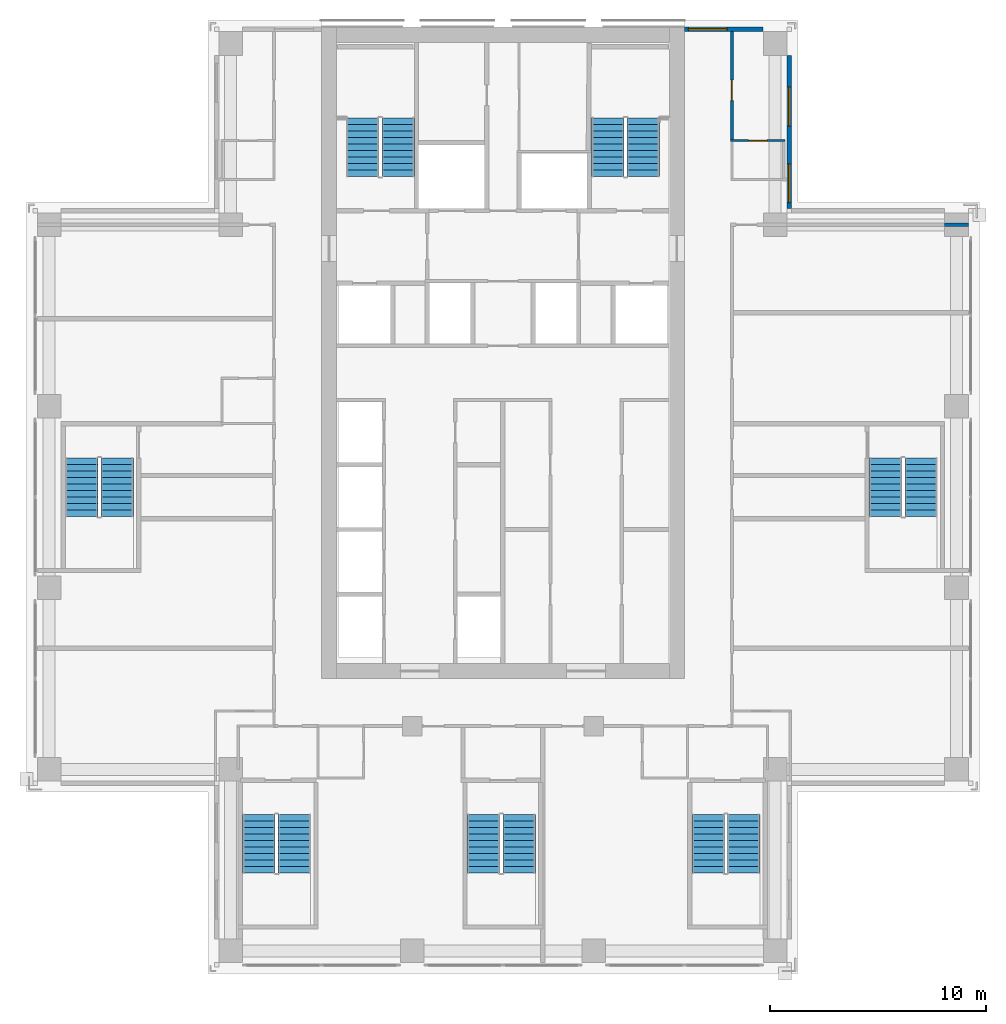
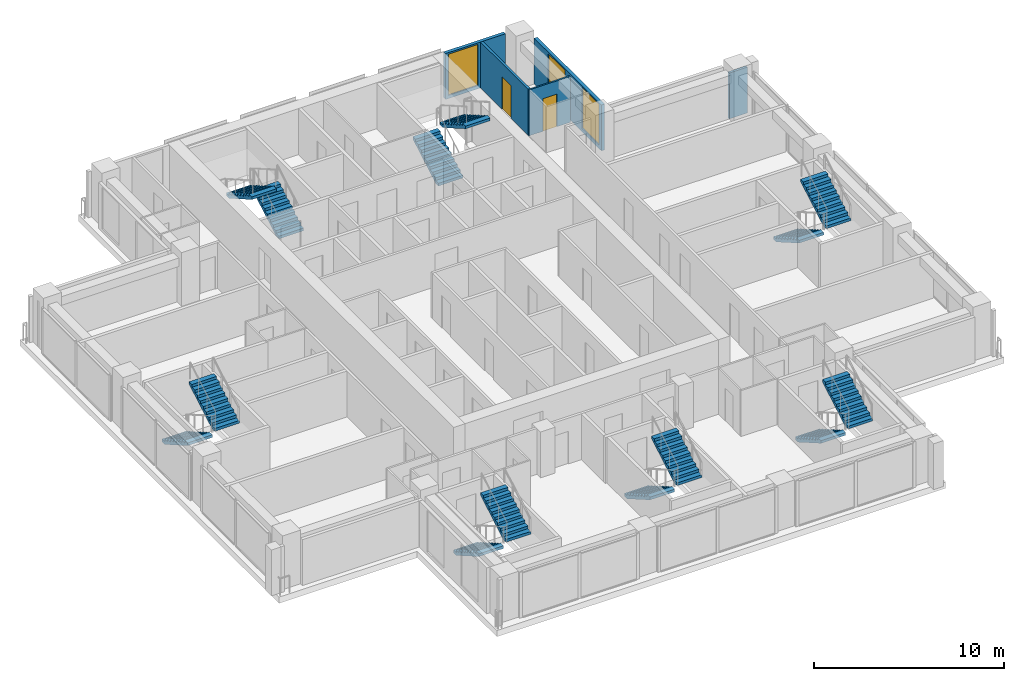
# One storey, part 13 of 16: 14 stair flights, 5 walls, 3 windows, 2 doors, 5 openings, 7 elements without a shape of their own.
"""IFC4 building model written with IfcOpenShell, lengths in metres."""

import ifcopenshell
import ifcopenshell.guid

model = None  # the IFC model being written
_history = None  # IfcOwnerHistory: only IFC2X3 demands one
_inside = {}  # id of a spatial element -> (the spatial element, [elements in it])
_under = {}  # id of a project, library or spatial element -> (it, [spatial elements below it])
_declared = {}  # id of a project -> (the project, [libraries it declares])
_typed = {}  # id of a type object -> (the type object, [elements of that type])
_made_of = {}  # id of a material, layer set ... -> (it, [elements and type objects made of it])


def new_model(schema):
    """Start an empty IFC model of exactly this schema.

    Asked for "IFC4X3", IfcOpenShell would pick the latest addendum, in which some entities
    have other attributes; the version numbers below select the first issue.
    IFC2X3 requires an IfcOwnerHistory on every rooted entity: one is made here for all.
    """
    global model, _history
    if schema == "IFC4X3":
        model = ifcopenshell.file(schema_version=(4, 3, 0, 0))
    else:
        model = ifcopenshell.file(schema=schema)
    _inside.clear()
    _under.clear()
    _declared.clear()
    _typed.clear()
    _made_of.clear()
    _history = None
    if model.schema == "IFC2X3":
        org = make("IfcOrganization", Name="unknown")
        user = make(
            "IfcPersonAndOrganization",
            ThePerson=make("IfcPerson", FamilyName="unknown"),
            TheOrganization=org,
        )
        app = make(
            "IfcApplication",
            ApplicationDeveloper=org,
            Version="unknown",
            ApplicationFullName="unknown",
            ApplicationIdentifier="unknown",
        )
        _history = make(
            "IfcOwnerHistory",
            OwningUser=user,
            OwningApplication=app,
            ChangeAction="ADDED",
            CreationDate=0,
        )
    return model


def make(cls, **values):
    """One entity of the class cls with the attributes given. An attribute that is None is left unset."""
    return model.create_entity(
        cls, **{name: value for name, value in values.items() if value is not None}
    )


def rooted(cls, **values):
    """An entity with a GlobalId (a new one), such as an element, a storey or a relation."""
    return make(cls, GlobalId=ifcopenshell.guid.new(), OwnerHistory=_history, **values)


def si_unit(unit_type, name, prefix=None):
    """IfcSIUnit, for example si_unit("LENGTHUNIT", "METRE", prefix="MILLI")."""
    return make("IfcSIUnit", UnitType=unit_type, Prefix=prefix, Name=name)


def assignment(units):
    """IfcUnitAssignment: the units of a project."""
    return None if units is None else make("IfcUnitAssignment", Units=units)


def point(xyz):
    """IfcCartesianPoint."""
    return None if xyz is None else make("IfcCartesianPoint", Coordinates=xyz)


def direction(xyz):
    """IfcDirection."""
    return None if xyz is None else make("IfcDirection", DirectionRatios=xyz)


def frame(location, z_axis=None, x_axis=None):
    """IfcAxis2Placement3D, a coordinate frame: its origin and axes. An axis left out is left unset."""
    return make(
        "IfcAxis2Placement3D",
        Location=point(location),
        Axis=direction(z_axis),
        RefDirection=direction(x_axis),
    )


def frame_2d(location, x_axis=None):
    """IfcAxis2Placement2D, a coordinate frame in the plane: its origin and x axis."""
    return make(
        "IfcAxis2Placement2D", Location=point(location), RefDirection=direction(x_axis)
    )


def origin():
    """The frame at (0, 0, 0) with its axes left unset."""
    return frame((0.0, 0.0, 0.0))


def place(relative_to, where):
    """IfcLocalPlacement: puts the frame where relative to a parent placement (None: the world)."""
    return make(
        "IfcLocalPlacement", PlacementRelTo=relative_to, RelativePlacement=where
    )


def context(
    kind, dimensions, precision=None, world=None, true_north=None, identifier=None
):
    """IfcGeometricRepresentationContext, for example the 3D "Model" context."""
    return make(
        "IfcGeometricRepresentationContext",
        ContextIdentifier=identifier,
        ContextType=kind,
        CoordinateSpaceDimension=dimensions,
        Precision=precision,
        WorldCoordinateSystem=world,
        TrueNorth=true_north,
    )


def subcontext(parent, identifier, kind, view, scale=None):
    """IfcGeometricRepresentationSubContext, for example "Body" below "Model"."""
    return make(
        "IfcGeometricRepresentationSubContext",
        ContextIdentifier=identifier,
        ContextType=kind,
        ParentContext=parent,
        TargetScale=scale,
        TargetView=view,
    )


def project(units=None, contexts=None):
    """IfcProject with its units and contexts."""
    return rooted(
        "IfcProject",
        Name="project",
        RepresentationContexts=contexts,
        UnitsInContext=assignment(units),
    )


def spatial(cls, under=None, at=None, **own):
    """A site, building, storey or space (cls), placed at a placement, below another one or the project."""
    s = rooted(cls, ObjectPlacement=at, **own)
    if under is not None:
        _under.setdefault(under.id(), (under, []))[1].append(s)
    return s


def polyline(points):
    """IfcPolyline through the points."""
    return make("IfcPolyline", Points=[point(p) for p in points])


def profile(cls, at=None, kind="AREA", **sizes):
    """A parametric profile (cls). Its sizes go by their IFC names, for example OverallWidth=200.0."""
    return make(cls, ProfileType=kind, Position=at, **sizes)


def rectangle(**sizes):
    """IfcRectangleProfileDef."""
    return profile("IfcRectangleProfileDef", **sizes)


def outline(outer, holes=None, kind="AREA"):
    """IfcArbitraryClosedProfileDef: a profile drawn as a closed curve; with holes, ...WithVoids."""
    if holes is None:
        return make("IfcArbitraryClosedProfileDef", ProfileType=kind, OuterCurve=outer)
    return make(
        "IfcArbitraryProfileDefWithVoids",
        ProfileType=kind,
        OuterCurve=outer,
        InnerCurves=holes,
    )


def extrude(swept, where, along, depth):
    """IfcExtrudedAreaSolid: the profile swept, set in the frame where, extruded along a direction by depth."""
    return make(
        "IfcExtrudedAreaSolid",
        SweptArea=swept,
        Position=where,
        ExtrudedDirection=direction(along),
        Depth=depth,
    )


def shape(context_of_items, identifier, shape_type, items):
    """IfcShapeRepresentation: the items that make up one representation, for example the "Body"."""
    return make(
        "IfcShapeRepresentation",
        ContextOfItems=context_of_items,
        RepresentationIdentifier=identifier,
        RepresentationType=shape_type,
        Items=items,
    )


def material(Name=None, Category=None):
    """IfcMaterial."""
    return make("IfcMaterial", Name=Name, Category=Category)


def layer(
    of_material, thickness, ventilated=None, Name=None, Category=None, Priority=None
):
    """IfcMaterialLayer: one layer of a wall or slab, of a material (None: an air gap)."""
    return make(
        "IfcMaterialLayer",
        Material=of_material,
        LayerThickness=thickness,
        IsVentilated=ventilated,
        Name=Name,
        Category=Category,
        Priority=Priority,
    )


def layer_set(layers, Name=None):
    """IfcMaterialLayerSet."""
    return make("IfcMaterialLayerSet", MaterialLayers=layers, LayerSetName=Name)


def made_of(thing, what):
    """Note that an element or type object is made of a material, layer set ...; save() writes the relation."""
    if what is not None:
        _made_of.setdefault(what.id(), (what, []))[1].append(thing)
    return thing


def type_object(cls, material=None, **own):
    """A type object (cls), such as IfcWallType, which elements share."""
    return made_of(rooted(cls, **own), material)


def element(
    cls,
    number,
    at=None,
    inside=None,
    cuts=None,
    type_object=None,
    material=None,
    context=None,
    identifier="Body",
    shape_type=None,
    held_by="IfcProductDefinitionShape",
    body=None,
    shapes=None,
    **own,
):
    """One element of the class cls, such as IfcWall. Its Tag is "e" and its number.

    at: its placement. inside: the storey or other place that contains it. cuts: it is an
    opening in that element (IfcRelVoidsElement). A single representation is given by context,
    identifier, shape_type and body (its items); several are given by shapes. held_by: the class
    of the entity that holds the representations. save() writes the other relations.
    """
    e = rooted(cls, Tag="e%d" % number, ObjectPlacement=at, **own)
    if body is not None:
        shapes = [shape(context, identifier, shape_type, body)]
    if shapes is not None:
        e.Representation = make(held_by, Representations=shapes)
    if inside is not None:
        _inside.setdefault(inside.id(), (inside, []))[1].append(e)
    if cuts is not None:
        rooted(
            "IfcRelVoidsElement", RelatingBuildingElement=cuts, RelatedOpeningElement=e
        )
    if type_object is not None:
        _typed.setdefault(type_object.id(), (type_object, []))[1].append(e)
    return made_of(e, material)


def fill(opening, filler):
    """IfcRelFillsElement: the door or window that sits in an opening."""
    return rooted(
        "IfcRelFillsElement",
        RelatingOpeningElement=opening,
        RelatedBuildingElement=filler,
    )


def aggregate(whole, parts):
    """IfcRelAggregates: a whole, such as a stair, and the parts it consists of."""
    return rooted("IfcRelAggregates", RelatingObject=whole, RelatedObjects=parts)


def save(model, path):
    """Write the relations noted so far, then the file.

    IfcRelAggregates (storeys below a building ...), IfcRelContainedInSpatialStructure (elements
    in a storey), IfcRelDefinesByType, IfcRelAssociatesMaterial and IfcRelDeclares: one each for
    every whole, place, type object, material and project.
    """
    for whole, parts in _under.values():
        aggregate(whole, parts)
    for where, things in _inside.values():
        rooted(
            "IfcRelContainedInSpatialStructure",
            RelatedElements=things,
            RelatingStructure=where,
        )
    for kind, things in _typed.values():
        rooted("IfcRelDefinesByType", RelatedObjects=things, RelatingType=kind)
    for what, things in _made_of.values():
        rooted("IfcRelAssociatesMaterial", RelatedObjects=things, RelatingMaterial=what)
    for by, libraries in _declared.values():
        rooted("IfcRelDeclares", RelatingContext=by, RelatedDefinitions=libraries)
    model.write(path)


model = new_model("IFC4")

# Units and contexts
model_context = context("Model", 3, precision=1e-05, world=origin(), true_north=direction((0.0, 1.0)))
body_context = subcontext(model_context, "Body", "Model", "MODEL_VIEW")
ifc_project = project(units=[si_unit("LENGTHUNIT", "METRE"), si_unit("AREAUNIT", "SQUARE_METRE"), si_unit("VOLUMEUNIT", "CUBIC_METRE"), si_unit("PLANEANGLEUNIT", "RADIAN"), si_unit("MASSUNIT", "GRAM", prefix="KILO")], contexts=[model_context])

# Site, building, storey
site_placement = place(None, origin())
site = spatial("IfcSite", under=ifc_project, at=site_placement, CompositionType="ELEMENT")
building_placement = place(site_placement, origin())
building = spatial("IfcBuilding", under=site, at=building_placement, Name="Vermilion Ogive Tower", CompositionType="ELEMENT")
storey_placement = place(building_placement, frame((0.0, 0.0, 167.60009765625)))
storey = spatial("IfcBuildingStorey", under=building, at=storey_placement, Name="L43", CompositionType="ELEMENT", Elevation=167.60009765625)

# Wall, opening, door
ifc_material_1 = material(Name="Gypsum board partition on steel studs", Category="steel")
ifc_layer_1 = layer(ifc_material_1, 0.10009765625)
ifc_layer_set_1 = layer_set([ifc_layer_1], Name="Partition 100 bath")
wall_type_1 = type_object("IfcWallType", Name="Partition 100 bath", PredefinedType="PARTITIONING", material=ifc_layer_set_1)
wall_1_placement = place(storey_placement, frame((10.52490234375, 16.5, 0.0), z_axis=(0.0, 0.0, 1.0), x_axis=(1.0, 0.0, 0.0)))
wall_1 = element("IfcWall", 1, at=wall_1_placement, inside=storey, type_object=wall_type_1, Name="L43-W-W037", PredefinedType="PARTITIONING", context=body_context, shape_type="SweptSolid", body=[
    extrude(rectangle(XDim=2.525146484375, YDim=0.10009765625, at=frame_2d((1.2626953125, 0.0))), origin(), (0.0, 0.0, 1.0), 2.949951171875),
])
opening_1_placement = place(wall_1_placement, frame((0.85009765625, 0.0, 0.0)))
opening_1 = element("IfcOpeningElement", 2, at=opening_1_placement, cuts=wall_1, Name="Opening D3G5017", PredefinedType="OPENING", context=body_context, shape_type="SweptSolid", body=[
    extrude(rectangle(XDim=0.85009765625, YDim=2.10009765625, at=frame_2d((0.425048828125, 1.050048828125))), frame((0.0, 0.06005859375, 0.0), z_axis=(0.0, -1.0, 0.0), x_axis=(1.0, 0.0, 0.0)), (0.0, 0.0, 1.0), 0.1201171875),
])
ifc_material_2 = material(Name="Timber door leaf", Category="wood")
door_type_1 = type_object("IfcDoorType", Name="Bath door 850 x 2100 FD30", OperationType="SINGLE_SWING_LEFT", PredefinedType="DOOR", material=ifc_material_2)
door_1_placement = place(opening_1_placement, origin())
door_1 = element("IfcDoor", 3, at=door_1_placement, inside=storey, type_object=door_type_1, Name="L43-D-D017", OperationType="SINGLE_SWING_RIGHT", OverallHeight=2.10009765625, OverallWidth=0.85009765625, PredefinedType="DOOR", context=body_context, shape_type="SweptSolid", body=[
    extrude(rectangle(XDim=0.85009765625, YDim=2.10009765625, at=frame_2d((0.425048828125, 1.050048828125))), frame((0.0, 0.02490234375, 0.0), z_axis=(0.0, -1.0, 0.0), x_axis=(1.0, 0.0, 0.0)), (0.0, 0.0, 1.0), 0.050048828125),
])
fill(opening_1, door_1)

ifc_material_3 = material(Name="Gypsum board partition on steel studs", Category="steel")
ifc_layer_2 = layer(ifc_material_3, 0.14990234375)
ifc_layer_set_2 = layer_set([ifc_layer_2], Name="Partition 150 corridor")
wall_type_2 = type_object("IfcWallType", Name="Partition 150 corridor", PredefinedType="PARTITIONING", material=ifc_layer_set_2)
wall_2_placement = place(storey_placement, frame((10.60009765625, 16.550048828125, 0.0), z_axis=(0.0, 0.0, 1.0), x_axis=(0.0, 1.0, 0.0)))
wall_2 = element("IfcWall", 4, at=wall_2_placement, inside=storey, type_object=wall_type_2, Name="L43-W-W061", PredefinedType="PARTITIONING", context=body_context, shape_type="SweptSolid", body=[
    extrude(rectangle(XDim=5.0, YDim=0.14990234375, at=frame_2d((2.5, 0.0))), origin(), (0.0, 0.0, 1.0), 2.949951171875),
])
opening_2_placement = place(wall_2_placement, frame((1.800048828125, 0.0, 0.0)))
opening_2 = element("IfcOpeningElement", 5, at=opening_2_placement, cuts=wall_2, Name="Opening D3G5016", PredefinedType="OPENING", context=body_context, shape_type="SweptSolid", body=[
    extrude(rectangle(XDim=0.949951171875, YDim=2.10009765625, at=frame_2d((0.47509765625, 1.050048828125))), frame((0.0, 0.0849609375, 0.0), z_axis=(0.0, -1.0, 0.0), x_axis=(1.0, 0.0, 0.0)), (0.0, 0.0, 1.0), 0.169921875),
])
ifc_material_4 = material(Name="Timber door leaf", Category="wood")
door_type_2 = type_object("IfcDoorType", Name="Unit door 950 x 2100 FD30S", OperationType="SINGLE_SWING_LEFT", PredefinedType="DOOR", material=ifc_material_4)
door_2_placement = place(opening_2_placement, origin())
door_2 = element("IfcDoor", 6, at=door_2_placement, inside=storey, type_object=door_type_2, Name="L43-D-D016", OperationType="SINGLE_SWING_LEFT", OverallHeight=2.10009765625, OverallWidth=0.949951171875, PredefinedType="DOOR", context=body_context, shape_type="SweptSolid", body=[
    extrude(rectangle(XDim=0.949951171875, YDim=2.10009765625, at=frame_2d((0.47509765625, 1.050048828125))), frame((0.0, 0.02490234375, 0.0), z_axis=(0.0, -1.0, 0.0), x_axis=(1.0, 0.0, 0.0)), (0.0, 0.0, 1.0), 0.050048828125),
])
fill(opening_2, door_2)

# Wall
wall_3_placement = place(storey_placement, frame((20.449951171875, 12.60009765625, 0.0), z_axis=(0.0, 0.0, 1.0), x_axis=(1.0, 0.0, 0.0)))
element("IfcWall", 7, at=wall_3_placement, inside=storey, type_object=wall_type_2, Name="L43-W-W031-h2", PredefinedType="PARTITIONING", context=body_context, shape_type="SweptSolid", body=[
    extrude(rectangle(XDim=1.10009765625, YDim=0.14990234375, at=frame_2d((0.550048828125, 0.0))), origin(), (0.0, 0.0, 1.0), 2.949951171875),
])

# Wall, openings, windows
ifc_material_5 = material(Name="Aluminium window wall framing", Category="aluminium")
ifc_layer_3 = layer(ifc_material_5, 0.199951171875)
ifc_layer_set_3 = layer_set([ifc_layer_3], Name="Window wall")
wall_type_3 = type_object("IfcWallType", Name="Window wall", PredefinedType="STANDARD", material=ifc_layer_set_3)
wall_4_placement = place(storey_placement, frame((13.25, 13.35009765625, 0.0), z_axis=(0.0, 0.0, 1.0), x_axis=(0.0, 1.0, 0.0)))
wall_4 = element("IfcWall", 8, at=wall_4_placement, inside=storey, type_object=wall_type_3, Name="Window wall X41", PredefinedType="STANDARD", context=body_context, shape_type="SweptSolid", body=[
    extrude(rectangle(XDim=7.099853515625, YDim=0.199951171875, at=frame_2d((3.5498046875, 0.0))), origin(), (0.0, 0.0, 1.0), 2.949951171875),
])
opening_3_placement = place(wall_4_placement, frame((0.27490234375, 0.0, 0.199951171875)))
opening_3 = element("IfcOpeningElement", 9, at=opening_3_placement, cuts=wall_4, Name="Opening W1-X403", PredefinedType="OPENING", context=body_context, shape_type="SweptSolid", body=[
    extrude(rectangle(XDim=1.800048828125, YDim=2.64990234375, at=frame_2d((0.89990234375, 1.324951171875))), frame((0.0, 0.10986328125, 0.0), z_axis=(0.0, -1.0, 0.0), x_axis=(1.0, 0.0, 0.0)), (0.0, 0.0, 1.0), 0.219970703125),
])
opening_4_placement = place(wall_4_placement, frame((3.824951171875, 0.0, 0.199951171875)))
opening_4 = element("IfcOpeningElement", 10, at=opening_4_placement, cuts=wall_4, Name="Opening W1-X404", PredefinedType="OPENING", context=body_context, shape_type="SweptSolid", body=[
    extrude(rectangle(XDim=1.800048828125, YDim=2.64990234375, at=frame_2d((0.89990234375, 1.324951171875))), frame((0.0, 0.10986328125, 0.0), z_axis=(0.0, -1.0, 0.0), x_axis=(1.0, 0.0, 0.0)), (0.0, 0.0, 1.0), 0.219970703125),
])
ifc_material_6 = material(Name="Aluminium framed double glazing", Category="aluminium")
window_type = type_object("IfcWindowType", Name="Guest window W1", PartitioningType="SINGLE_PANEL", PredefinedType="WINDOW", material=ifc_material_6)
window_1_placement = place(opening_3_placement, origin())
window_1 = element("IfcWindow", 11, at=window_1_placement, inside=storey, type_object=window_type, Name="Window X403", OverallHeight=2.64990234375, OverallWidth=1.800048828125, PartitioningType="SINGLE_PANEL", PredefinedType="WINDOW", context=body_context, shape_type="SweptSolid", body=[
    extrude(rectangle(XDim=1.800048828125, YDim=2.64990234375, at=frame_2d((0.89990234375, 1.324951171875))), frame((0.0, 0.030029296875, 0.0), z_axis=(0.0, -1.0, 0.0), x_axis=(1.0, 0.0, 0.0)), (0.0, 0.0, 1.0), 0.06005859375),
])
fill(opening_3, window_1)
window_2_placement = place(opening_4_placement, origin())
window_2 = element("IfcWindow", 12, at=window_2_placement, inside=storey, type_object=window_type, Name="Window X404", OverallHeight=2.64990234375, OverallWidth=1.800048828125, PartitioningType="SINGLE_PANEL", PredefinedType="WINDOW", context=body_context, shape_type="SweptSolid", body=[
    extrude(rectangle(XDim=1.800048828125, YDim=2.64990234375, at=frame_2d((0.89990234375, 1.324951171875))), frame((0.0, 0.030029296875, 0.0), z_axis=(0.0, -1.0, 0.0), x_axis=(1.0, 0.0, 0.0)), (0.0, 0.0, 1.0), 0.06005859375),
])
fill(opening_4, window_2)

# Wall, opening, window
wall_5_placement = place(storey_placement, frame((12.050048828125, 21.64990234375, 0.0), z_axis=(0.0, 0.0, 1.0), x_axis=(-1.0, 0.0, 0.0)))
wall_5 = element("IfcWall", 13, at=wall_5_placement, inside=storey, type_object=wall_type_3, Name="Window wall N11", PredefinedType="STANDARD", context=body_context, shape_type="SweptSolid", body=[
    extrude(rectangle(XDim=3.650146484375, YDim=0.199951171875, at=frame_2d((1.8251953125, 0.0))), origin(), (0.0, 0.0, 1.0), 2.949951171875),
])
opening_5_placement = place(wall_5_placement, frame((1.669921875, 0.0, 0.199951171875)))
opening_5 = element("IfcOpeningElement", 14, at=opening_5_placement, cuts=wall_5, Name="Opening W1-N102", PredefinedType="OPENING", context=body_context, shape_type="SweptSolid", body=[
    extrude(rectangle(XDim=1.800048828125, YDim=2.64990234375, at=frame_2d((0.89990234375, 1.324951171875))), frame((0.0, 0.10986328125, 0.0), z_axis=(0.0, -1.0, 0.0), x_axis=(1.0, 0.0, 0.0)), (0.0, 0.0, 1.0), 0.219970703125),
])
window_3_placement = place(opening_5_placement, origin())
window_3 = element("IfcWindow", 15, at=window_3_placement, inside=storey, type_object=window_type, Name="Window N102", OverallHeight=2.64990234375, OverallWidth=1.800048828125, PartitioningType="SINGLE_PANEL", PredefinedType="WINDOW", context=body_context, shape_type="SweptSolid", body=[
    extrude(rectangle(XDim=1.800048828125, YDim=2.64990234375, at=frame_2d((0.89990234375, 1.324951171875))), frame((0.0, 0.030029296875, 0.0), z_axis=(0.0, -1.0, 0.0), x_axis=(1.0, 0.0, 0.0)), (0.0, 0.0, 1.0), 0.06005859375),
])
fill(opening_5, window_3)

# Stair, stair flights
ifc_material_7 = material(Name="Concrete B40", Category="concrete")
stair_type = type_object("IfcStairType", Name="Exit stair 1500", PredefinedType="HALF_TURN_STAIR", material=ifc_material_7)
stair_1_placement = place(storey_placement, origin())
stair_1 = element("IfcStair", 16, at=stair_1_placement, inside=storey, type_object=stair_type, Name="L43 Exit Stair ST1", PredefinedType="HALF_TURN_STAIR")
ifc_material_8 = material(Name="Concrete B40", Category="concrete")
stair_flight_type = type_object("IfcStairFlightType", Name="Stair flight 1500", PredefinedType="STRAIGHT", material=ifc_material_8)
stair_flight_1_placement = place(storey_placement, frame((-4.85009765625, 14.85009765625, 0.0), z_axis=(0.0, 0.0, 1.0), x_axis=(0.0, 1.0, 0.0)))
stair_flight_1 = element("IfcStairFlight", 17, at=stair_flight_1_placement, type_object=stair_flight_type, Name="ST1 flight 1", NumberOfRisers=10, NumberOfTreads=9, PredefinedType="STRAIGHT", RiserHeight=0.1725, TreadLength=0.3, context=body_context, shape_type="SweptSolid", body=[
    extrude(outline(polyline([(0.0, 0.0), (0.0, 0.172607421875), (0.300048828125, 0.172607421875), (0.300048828125, 0.344970703125), (0.60009765625, 0.344970703125), (0.60009765625, 0.517578125), (0.89990234375, 0.517578125), (0.89990234375, 0.68994140625), (1.199951171875, 0.68994140625), (1.199951171875, 0.862548828125), (1.5, 0.862548828125), (1.5, 1.034912109375), (1.800048828125, 1.034912109375), (1.800048828125, 1.20751953125), (2.10009765625, 1.20751953125), (2.10009765625, 1.3798828125), (2.39990234375, 1.3798828125), (2.39990234375, 1.552490234375), (2.699951171875, 1.552490234375), (2.699951171875, 1.72509765625), (2.699951171875, 1.379638671875), (0.30078125, 0.0), (0.0, 0.0)])), frame((0.0, 0.75, 0.0), z_axis=(0.0, -1.0, 0.0), x_axis=(1.0, 0.0, 0.0)), (0.0, 0.0, 1.0), 1.5),
])
stair_flight_2_placement = place(storey_placement, frame((-6.5, 17.550048828125, 1.724853515625), z_axis=(0.0, 0.0, 1.0), x_axis=(0.0, -1.0, 0.0)))
stair_flight_2 = element("IfcStairFlight", 18, at=stair_flight_2_placement, type_object=stair_flight_type, Name="ST1 flight 2", NumberOfRisers=10, NumberOfTreads=9, PredefinedType="STRAIGHT", RiserHeight=0.1725, TreadLength=0.3, context=body_context, shape_type="SweptSolid", body=[
    extrude(outline(polyline([(0.0, 0.0), (0.0, 0.172607421875), (0.300048828125, 0.172607421875), (0.300048828125, 0.344970703125), (0.60009765625, 0.344970703125), (0.60009765625, 0.517578125), (0.89990234375, 0.517578125), (0.89990234375, 0.68994140625), (1.199951171875, 0.68994140625), (1.199951171875, 0.862548828125), (1.5, 0.862548828125), (1.5, 1.034912109375), (1.800048828125, 1.034912109375), (1.800048828125, 1.20751953125), (2.10009765625, 1.20751953125), (2.10009765625, 1.3798828125), (2.39990234375, 1.3798828125), (2.39990234375, 1.552490234375), (2.699951171875, 1.552490234375), (2.699951171875, 1.72509765625), (2.699951171875, 1.379638671875), (0.30078125, 0.0), (0.0, 0.0)])), frame((0.0, 0.75, 0.0), z_axis=(0.0, -1.0, 0.0), x_axis=(1.0, 0.0, 0.0)), (0.0, 0.0, 1.0), 1.5),
])
aggregate(stair_1, [stair_flight_1, stair_flight_2])

stair_2_placement = place(storey_placement, origin())
stair_2 = element("IfcStair", 19, at=stair_2_placement, inside=storey, type_object=stair_type, Name="L43 Exit Stair ST2", PredefinedType="HALF_TURN_STAIR")
stair_flight_3_placement = place(storey_placement, frame((4.85009765625, 14.85009765625, 0.0), z_axis=(0.0, 0.0, 1.0), x_axis=(0.0, 1.0, 0.0)))
stair_flight_3 = element("IfcStairFlight", 20, at=stair_flight_3_placement, type_object=stair_flight_type, Name="ST2 flight 1", NumberOfRisers=10, NumberOfTreads=9, PredefinedType="STRAIGHT", RiserHeight=0.1725, TreadLength=0.3, context=body_context, shape_type="SweptSolid", body=[
    extrude(outline(polyline([(0.0, 0.0), (0.0, 0.172607421875), (0.300048828125, 0.172607421875), (0.300048828125, 0.344970703125), (0.60009765625, 0.344970703125), (0.60009765625, 0.517578125), (0.89990234375, 0.517578125), (0.89990234375, 0.68994140625), (1.199951171875, 0.68994140625), (1.199951171875, 0.862548828125), (1.5, 0.862548828125), (1.5, 1.034912109375), (1.800048828125, 1.034912109375), (1.800048828125, 1.20751953125), (2.10009765625, 1.20751953125), (2.10009765625, 1.3798828125), (2.39990234375, 1.3798828125), (2.39990234375, 1.552490234375), (2.699951171875, 1.552490234375), (2.699951171875, 1.72509765625), (2.699951171875, 1.379638671875), (0.30078125, 0.0), (0.0, 0.0)])), frame((0.0, 0.75, 0.0), z_axis=(0.0, -1.0, 0.0), x_axis=(1.0, 0.0, 0.0)), (0.0, 0.0, 1.0), 1.5),
])
stair_flight_4_placement = place(storey_placement, frame((6.5, 17.550048828125, 1.724853515625), z_axis=(0.0, 0.0, 1.0), x_axis=(0.0, -1.0, 0.0)))
stair_flight_4 = element("IfcStairFlight", 21, at=stair_flight_4_placement, type_object=stair_flight_type, Name="ST2 flight 2", NumberOfRisers=10, NumberOfTreads=9, PredefinedType="STRAIGHT", RiserHeight=0.1725, TreadLength=0.3, context=body_context, shape_type="SweptSolid", body=[
    extrude(outline(polyline([(0.0, 0.0), (0.0, 0.172607421875), (0.300048828125, 0.172607421875), (0.300048828125, 0.344970703125), (0.60009765625, 0.344970703125), (0.60009765625, 0.517578125), (0.89990234375, 0.517578125), (0.89990234375, 0.68994140625), (1.199951171875, 0.68994140625), (1.199951171875, 0.862548828125), (1.5, 0.862548828125), (1.5, 1.034912109375), (1.800048828125, 1.034912109375), (1.800048828125, 1.20751953125), (2.10009765625, 1.20751953125), (2.10009765625, 1.3798828125), (2.39990234375, 1.3798828125), (2.39990234375, 1.552490234375), (2.699951171875, 1.552490234375), (2.699951171875, 1.72509765625), (2.699951171875, 1.379638671875), (0.30078125, 0.0), (0.0, 0.0)])), frame((0.0, 0.75, 0.0), z_axis=(0.0, -1.0, 0.0), x_axis=(1.0, 0.0, 0.0)), (0.0, 0.0, 1.0), 1.5),
])
aggregate(stair_2, [stair_flight_3, stair_flight_4])

stair_3_placement = place(storey_placement, origin())
stair_3 = element("IfcStair", 22, at=stair_3_placement, inside=storey, type_object=stair_type, Name="L43 Exit Stair ST3", PredefinedType="HALF_TURN_STAIR")
stair_flight_5_placement = place(storey_placement, frame((-11.300048828125, -14.699951171875, 0.0), z_axis=(0.0, 0.0, 1.0), x_axis=(0.0, -1.0, 0.0)))
stair_flight_5 = element("IfcStairFlight", 23, at=stair_flight_5_placement, type_object=stair_flight_type, Name="ST3 flight 1", NumberOfRisers=10, NumberOfTreads=9, PredefinedType="STRAIGHT", RiserHeight=0.1725, TreadLength=0.3, context=body_context, shape_type="SweptSolid", body=[
    extrude(outline(polyline([(0.0, 0.0), (0.0, 0.172607421875), (0.300048828125, 0.172607421875), (0.300048828125, 0.344970703125), (0.60009765625, 0.344970703125), (0.60009765625, 0.517578125), (0.89990234375, 0.517578125), (0.89990234375, 0.68994140625), (1.199951171875, 0.68994140625), (1.199951171875, 0.862548828125), (1.5, 0.862548828125), (1.5, 1.034912109375), (1.800048828125, 1.034912109375), (1.800048828125, 1.20751953125), (2.10009765625, 1.20751953125), (2.10009765625, 1.3798828125), (2.39990234375, 1.3798828125), (2.39990234375, 1.552490234375), (2.699951171875, 1.552490234375), (2.699951171875, 1.72509765625), (2.699951171875, 1.379638671875), (0.30078125, 0.0), (0.0, 0.0)])), frame((0.0, 0.75, 0.0), z_axis=(0.0, -1.0, 0.0), x_axis=(1.0, 0.0, 0.0)), (0.0, 0.0, 1.0), 1.5),
])
stair_flight_6_placement = place(storey_placement, frame((-9.64990234375, -17.39990234375, 1.724853515625), z_axis=(0.0, 0.0, 1.0), x_axis=(0.0, 1.0, 0.0)))
stair_flight_6 = element("IfcStairFlight", 24, at=stair_flight_6_placement, type_object=stair_flight_type, Name="ST3 flight 2", NumberOfRisers=10, NumberOfTreads=9, PredefinedType="STRAIGHT", RiserHeight=0.1725, TreadLength=0.3, context=body_context, shape_type="SweptSolid", body=[
    extrude(outline(polyline([(0.0, 0.0), (0.0, 0.172607421875), (0.300048828125, 0.172607421875), (0.300048828125, 0.344970703125), (0.60009765625, 0.344970703125), (0.60009765625, 0.517578125), (0.89990234375, 0.517578125), (0.89990234375, 0.68994140625), (1.199951171875, 0.68994140625), (1.199951171875, 0.862548828125), (1.5, 0.862548828125), (1.5, 1.034912109375), (1.800048828125, 1.034912109375), (1.800048828125, 1.20751953125), (2.10009765625, 1.20751953125), (2.10009765625, 1.3798828125), (2.39990234375, 1.3798828125), (2.39990234375, 1.552490234375), (2.699951171875, 1.552490234375), (2.699951171875, 1.72509765625), (2.699951171875, 1.379638671875), (0.30078125, 0.0), (0.0, 0.0)])), frame((0.0, 0.75, 0.0), z_axis=(0.0, -1.0, 0.0), x_axis=(1.0, 0.0, 0.0)), (0.0, 0.0, 1.0), 1.5),
])
aggregate(stair_3, [stair_flight_5, stair_flight_6])

stair_4_placement = place(storey_placement, origin())
stair_4 = element("IfcStair", 25, at=stair_4_placement, inside=storey, type_object=stair_type, Name="L43 Exit Stair ST4", PredefinedType="HALF_TURN_STAIR")
stair_flight_7_placement = place(storey_placement, frame((-0.89990234375, -14.699951171875, 0.0), z_axis=(0.0, 0.0, 1.0), x_axis=(0.0, -1.0, 0.0)))
stair_flight_7 = element("IfcStairFlight", 26, at=stair_flight_7_placement, type_object=stair_flight_type, Name="ST4 flight 1", NumberOfRisers=10, NumberOfTreads=9, PredefinedType="STRAIGHT", RiserHeight=0.1725, TreadLength=0.3, context=body_context, shape_type="SweptSolid", body=[
    extrude(outline(polyline([(0.0, 0.0), (0.0, 0.172607421875), (0.300048828125, 0.172607421875), (0.300048828125, 0.344970703125), (0.60009765625, 0.344970703125), (0.60009765625, 0.517578125), (0.89990234375, 0.517578125), (0.89990234375, 0.68994140625), (1.199951171875, 0.68994140625), (1.199951171875, 0.862548828125), (1.5, 0.862548828125), (1.5, 1.034912109375), (1.800048828125, 1.034912109375), (1.800048828125, 1.20751953125), (2.10009765625, 1.20751953125), (2.10009765625, 1.3798828125), (2.39990234375, 1.3798828125), (2.39990234375, 1.552490234375), (2.699951171875, 1.552490234375), (2.699951171875, 1.72509765625), (2.699951171875, 1.379638671875), (0.30078125, 0.0), (0.0, 0.0)])), frame((0.0, 0.75, 0.0), z_axis=(0.0, -1.0, 0.0), x_axis=(1.0, 0.0, 0.0)), (0.0, 0.0, 1.0), 1.5),
])
stair_flight_8_placement = place(storey_placement, frame((0.75, -17.39990234375, 1.724853515625), z_axis=(0.0, 0.0, 1.0), x_axis=(0.0, 1.0, 0.0)))
stair_flight_8 = element("IfcStairFlight", 27, at=stair_flight_8_placement, type_object=stair_flight_type, Name="ST4 flight 2", NumberOfRisers=10, NumberOfTreads=9, PredefinedType="STRAIGHT", RiserHeight=0.1725, TreadLength=0.3, context=body_context, shape_type="SweptSolid", body=[
    extrude(outline(polyline([(0.0, 0.0), (0.0, 0.172607421875), (0.300048828125, 0.172607421875), (0.300048828125, 0.344970703125), (0.60009765625, 0.344970703125), (0.60009765625, 0.517578125), (0.89990234375, 0.517578125), (0.89990234375, 0.68994140625), (1.199951171875, 0.68994140625), (1.199951171875, 0.862548828125), (1.5, 0.862548828125), (1.5, 1.034912109375), (1.800048828125, 1.034912109375), (1.800048828125, 1.20751953125), (2.10009765625, 1.20751953125), (2.10009765625, 1.3798828125), (2.39990234375, 1.3798828125), (2.39990234375, 1.552490234375), (2.699951171875, 1.552490234375), (2.699951171875, 1.72509765625), (2.699951171875, 1.379638671875), (0.30078125, 0.0), (0.0, 0.0)])), frame((0.0, 0.75, 0.0), z_axis=(0.0, -1.0, 0.0), x_axis=(1.0, 0.0, 0.0)), (0.0, 0.0, 1.0), 1.5),
])
aggregate(stair_4, [stair_flight_7, stair_flight_8])

stair_5_placement = place(storey_placement, origin())
stair_5 = element("IfcStair", 28, at=stair_5_placement, inside=storey, type_object=stair_type, Name="L43 Exit Stair ST5", PredefinedType="HALF_TURN_STAIR")
stair_flight_9_placement = place(storey_placement, frame((9.5, -14.699951171875, 0.0), z_axis=(0.0, 0.0, 1.0), x_axis=(0.0, -1.0, 0.0)))
stair_flight_9 = element("IfcStairFlight", 29, at=stair_flight_9_placement, type_object=stair_flight_type, Name="ST5 flight 1", NumberOfRisers=10, NumberOfTreads=9, PredefinedType="STRAIGHT", RiserHeight=0.1725, TreadLength=0.3, context=body_context, shape_type="SweptSolid", body=[
    extrude(outline(polyline([(0.0, 0.0), (0.0, 0.172607421875), (0.300048828125, 0.172607421875), (0.300048828125, 0.344970703125), (0.60009765625, 0.344970703125), (0.60009765625, 0.517578125), (0.89990234375, 0.517578125), (0.89990234375, 0.68994140625), (1.199951171875, 0.68994140625), (1.199951171875, 0.862548828125), (1.5, 0.862548828125), (1.5, 1.034912109375), (1.800048828125, 1.034912109375), (1.800048828125, 1.20751953125), (2.10009765625, 1.20751953125), (2.10009765625, 1.3798828125), (2.39990234375, 1.3798828125), (2.39990234375, 1.552490234375), (2.699951171875, 1.552490234375), (2.699951171875, 1.72509765625), (2.699951171875, 1.379638671875), (0.30078125, 0.0), (0.0, 0.0)])), frame((0.0, 0.75, 0.0), z_axis=(0.0, -1.0, 0.0), x_axis=(1.0, 0.0, 0.0)), (0.0, 0.0, 1.0), 1.5),
])
stair_flight_10_placement = place(storey_placement, frame((11.14990234375, -17.39990234375, 1.724853515625), z_axis=(0.0, 0.0, 1.0), x_axis=(0.0, 1.0, 0.0)))
stair_flight_10 = element("IfcStairFlight", 30, at=stair_flight_10_placement, type_object=stair_flight_type, Name="ST5 flight 2", NumberOfRisers=10, NumberOfTreads=9, PredefinedType="STRAIGHT", RiserHeight=0.1725, TreadLength=0.3, context=body_context, shape_type="SweptSolid", body=[
    extrude(outline(polyline([(0.0, 0.0), (0.0, 0.172607421875), (0.300048828125, 0.172607421875), (0.300048828125, 0.344970703125), (0.60009765625, 0.344970703125), (0.60009765625, 0.517578125), (0.89990234375, 0.517578125), (0.89990234375, 0.68994140625), (1.199951171875, 0.68994140625), (1.199951171875, 0.862548828125), (1.5, 0.862548828125), (1.5, 1.034912109375), (1.800048828125, 1.034912109375), (1.800048828125, 1.20751953125), (2.10009765625, 1.20751953125), (2.10009765625, 1.3798828125), (2.39990234375, 1.3798828125), (2.39990234375, 1.552490234375), (2.699951171875, 1.552490234375), (2.699951171875, 1.72509765625), (2.699951171875, 1.379638671875), (0.30078125, 0.0), (0.0, 0.0)])), frame((0.0, 0.75, 0.0), z_axis=(0.0, -1.0, 0.0), x_axis=(1.0, 0.0, 0.0)), (0.0, 0.0, 1.0), 1.5),
])
aggregate(stair_5, [stair_flight_9, stair_flight_10])

stair_6_placement = place(storey_placement, origin())
stair_6 = element("IfcStair", 31, at=stair_6_placement, inside=storey, type_object=stair_type, Name="L43 Exit Stair ST8", PredefinedType="HALF_TURN_STAIR")
stair_flight_11_placement = place(storey_placement, frame((17.699951171875, 1.800048828125, 0.0), z_axis=(0.0, 0.0, 1.0), x_axis=(0.0, -1.0, 0.0)))
stair_flight_11 = element("IfcStairFlight", 32, at=stair_flight_11_placement, type_object=stair_flight_type, Name="ST8 flight 1", NumberOfRisers=10, NumberOfTreads=9, PredefinedType="STRAIGHT", RiserHeight=0.1725, TreadLength=0.3, context=body_context, shape_type="SweptSolid", body=[
    extrude(outline(polyline([(0.0, 0.0), (0.0, 0.172607421875), (0.300048828125, 0.172607421875), (0.300048828125, 0.344970703125), (0.60009765625, 0.344970703125), (0.60009765625, 0.517578125), (0.89990234375, 0.517578125), (0.89990234375, 0.68994140625), (1.199951171875, 0.68994140625), (1.199951171875, 0.862548828125), (1.5, 0.862548828125), (1.5, 1.034912109375), (1.800048828125, 1.034912109375), (1.800048828125, 1.20751953125), (2.10009765625, 1.20751953125), (2.10009765625, 1.3798828125), (2.39990234375, 1.3798828125), (2.39990234375, 1.552490234375), (2.699951171875, 1.552490234375), (2.699951171875, 1.72509765625), (2.699951171875, 1.379638671875), (0.30078125, 0.0), (0.0, 0.0)])), frame((0.0, 0.75, 0.0), z_axis=(0.0, -1.0, 0.0), x_axis=(1.0, 0.0, 0.0)), (0.0, 0.0, 1.0), 1.5),
])
stair_flight_12_placement = place(storey_placement, frame((19.35009765625, -0.89990234375, 1.724853515625), z_axis=(0.0, 0.0, 1.0), x_axis=(0.0, 1.0, 0.0)))
stair_flight_12 = element("IfcStairFlight", 33, at=stair_flight_12_placement, type_object=stair_flight_type, Name="ST8 flight 2", NumberOfRisers=10, NumberOfTreads=9, PredefinedType="STRAIGHT", RiserHeight=0.1725, TreadLength=0.3, context=body_context, shape_type="SweptSolid", body=[
    extrude(outline(polyline([(0.0, 0.0), (0.0, 0.172607421875), (0.300048828125, 0.172607421875), (0.300048828125, 0.344970703125), (0.60009765625, 0.344970703125), (0.60009765625, 0.517578125), (0.89990234375, 0.517578125), (0.89990234375, 0.68994140625), (1.199951171875, 0.68994140625), (1.199951171875, 0.862548828125), (1.5, 0.862548828125), (1.5, 1.034912109375), (1.800048828125, 1.034912109375), (1.800048828125, 1.20751953125), (2.10009765625, 1.20751953125), (2.10009765625, 1.3798828125), (2.39990234375, 1.3798828125), (2.39990234375, 1.552490234375), (2.699951171875, 1.552490234375), (2.699951171875, 1.72509765625), (2.699951171875, 1.379638671875), (0.30078125, 0.0), (0.0, 0.0)])), frame((0.0, 0.75, 0.0), z_axis=(0.0, -1.0, 0.0), x_axis=(1.0, 0.0, 0.0)), (0.0, 0.0, 1.0), 1.5),
])
aggregate(stair_6, [stair_flight_11, stair_flight_12])

stair_7_placement = place(storey_placement, origin())
stair_7 = element("IfcStair", 34, at=stair_7_placement, inside=storey, type_object=stair_type, Name="L43 Exit Stair ST9", PredefinedType="HALF_TURN_STAIR")
stair_flight_13_placement = place(storey_placement, frame((-19.5, 1.800048828125, 0.0), z_axis=(0.0, 0.0, 1.0), x_axis=(0.0, -1.0, 0.0)))
stair_flight_13 = element("IfcStairFlight", 35, at=stair_flight_13_placement, type_object=stair_flight_type, Name="ST9 flight 1", NumberOfRisers=10, NumberOfTreads=9, PredefinedType="STRAIGHT", RiserHeight=0.1725, TreadLength=0.3, context=body_context, shape_type="SweptSolid", body=[
    extrude(outline(polyline([(0.0, 0.0), (0.0, 0.172607421875), (0.300048828125, 0.172607421875), (0.300048828125, 0.344970703125), (0.60009765625, 0.344970703125), (0.60009765625, 0.517578125), (0.89990234375, 0.517578125), (0.89990234375, 0.68994140625), (1.199951171875, 0.68994140625), (1.199951171875, 0.862548828125), (1.5, 0.862548828125), (1.5, 1.034912109375), (1.800048828125, 1.034912109375), (1.800048828125, 1.20751953125), (2.10009765625, 1.20751953125), (2.10009765625, 1.3798828125), (2.39990234375, 1.3798828125), (2.39990234375, 1.552490234375), (2.699951171875, 1.552490234375), (2.699951171875, 1.72509765625), (2.699951171875, 1.379638671875), (0.30078125, 0.0), (0.0, 0.0)])), frame((0.0, 0.75, 0.0), z_axis=(0.0, -1.0, 0.0), x_axis=(1.0, 0.0, 0.0)), (0.0, 0.0, 1.0), 1.5),
])
stair_flight_14_placement = place(storey_placement, frame((-17.85009765625, -0.89990234375, 1.724853515625), z_axis=(0.0, 0.0, 1.0), x_axis=(0.0, 1.0, 0.0)))
stair_flight_14 = element("IfcStairFlight", 36, at=stair_flight_14_placement, type_object=stair_flight_type, Name="ST9 flight 2", NumberOfRisers=10, NumberOfTreads=9, PredefinedType="STRAIGHT", RiserHeight=0.1725, TreadLength=0.3, context=body_context, shape_type="SweptSolid", body=[
    extrude(outline(polyline([(0.0, 0.0), (0.0, 0.172607421875), (0.300048828125, 0.172607421875), (0.300048828125, 0.344970703125), (0.60009765625, 0.344970703125), (0.60009765625, 0.517578125), (0.89990234375, 0.517578125), (0.89990234375, 0.68994140625), (1.199951171875, 0.68994140625), (1.199951171875, 0.862548828125), (1.5, 0.862548828125), (1.5, 1.034912109375), (1.800048828125, 1.034912109375), (1.800048828125, 1.20751953125), (2.10009765625, 1.20751953125), (2.10009765625, 1.3798828125), (2.39990234375, 1.3798828125), (2.39990234375, 1.552490234375), (2.699951171875, 1.552490234375), (2.699951171875, 1.72509765625), (2.699951171875, 1.379638671875), (0.30078125, 0.0), (0.0, 0.0)])), frame((0.0, 0.75, 0.0), z_axis=(0.0, -1.0, 0.0), x_axis=(1.0, 0.0, 0.0)), (0.0, 0.0, 1.0), 1.5),
])
aggregate(stair_7, [stair_flight_13, stair_flight_14])

save(model, "model.ifc")
